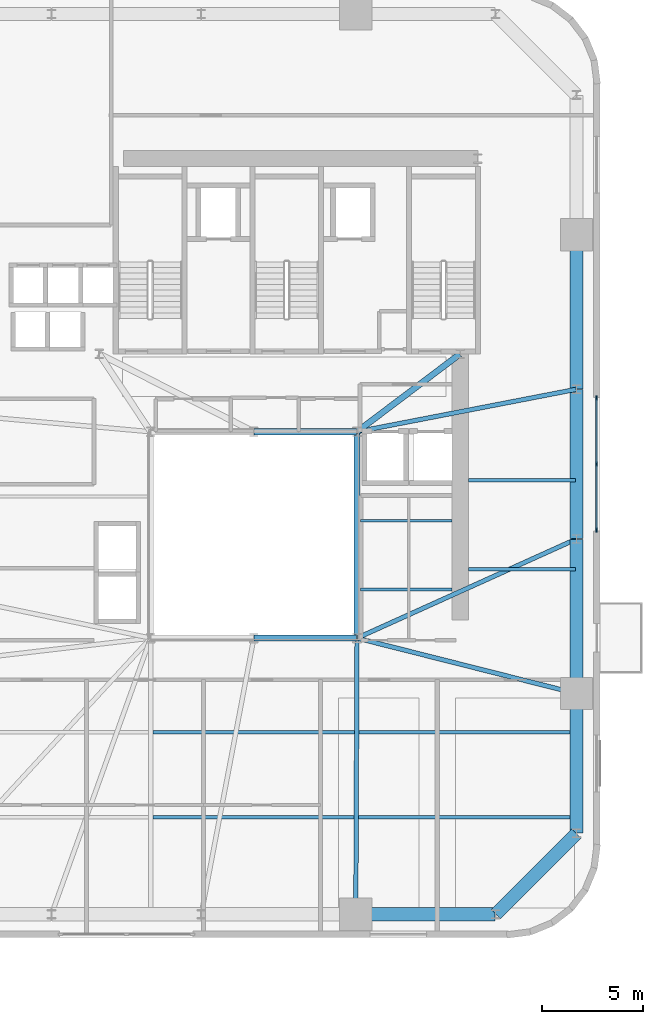
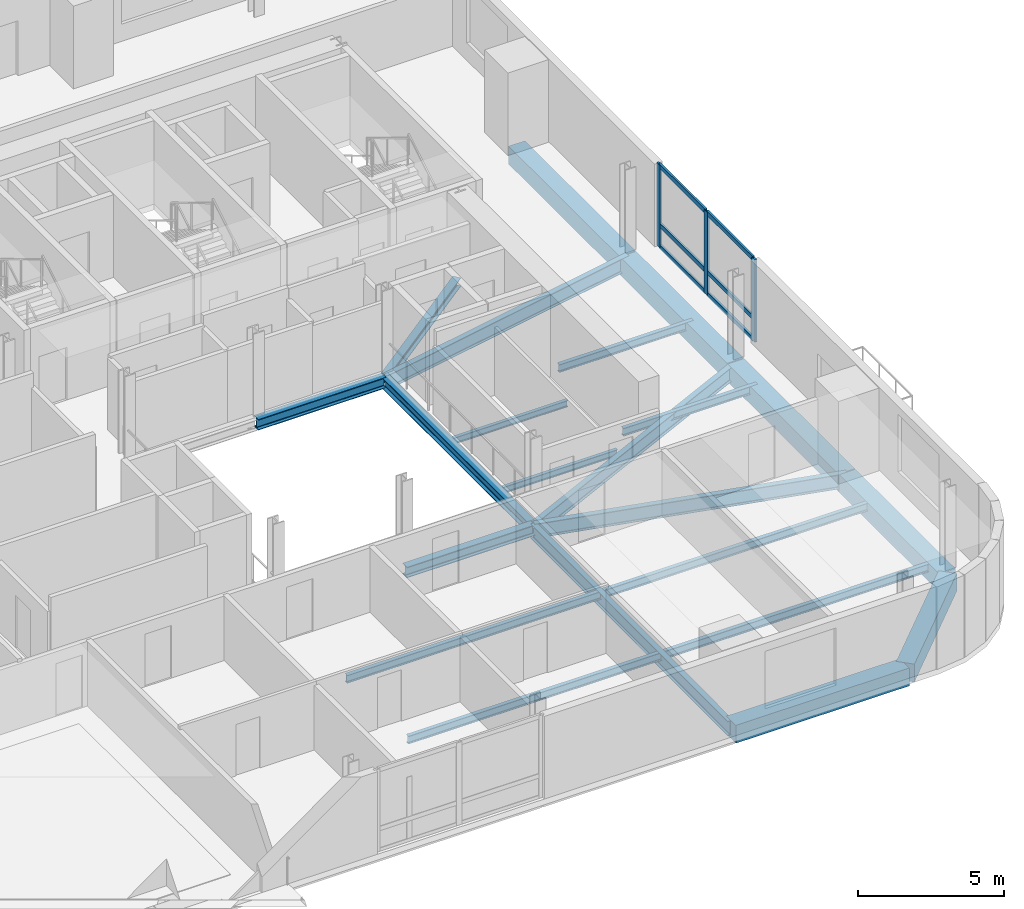
# One storey, part 3 of 14: 20 beams, 9 members, 1 element without a shape of its own.
"""IFC4 building model written with IfcOpenShell, lengths in metres."""

from ifc_helpers import new_model, si_unit, direction, frame, origin, origin_2d, place, context, subcontext, project, spatial, rectangle, i_section, extrude, source, transform, mapped, material, material_profile, profile_set, type_object, element, aggregate, save


model = new_model("IFC4")

# Units and contexts
model_context = context("Model", 3, precision=1e-05, world=origin(), true_north=direction((0.0, 1.0)))
body_context = subcontext(model_context, "Body", "Model", "MODEL_VIEW")
ifc_project = project(units=[si_unit("LENGTHUNIT", "METRE"), si_unit("AREAUNIT", "SQUARE_METRE"), si_unit("VOLUMEUNIT", "CUBIC_METRE"), si_unit("PLANEANGLEUNIT", "RADIAN"), si_unit("MASSUNIT", "GRAM", prefix="KILO")], contexts=[model_context])

# Site, building, storey
site_placement = place(None, origin())
site = spatial("IfcSite", under=ifc_project, at=site_placement, CompositionType="ELEMENT")
building_placement = place(site_placement, origin())
building = spatial("IfcBuilding", under=site, at=building_placement, Name="Vardaveli Station Tower", CompositionType="ELEMENT")
storey_placement = place(building_placement, frame((0.0, 0.0, 148.300048828125)))
storey = spatial("IfcBuildingStorey", under=building, at=storey_placement, Name="L38", CompositionType="ELEMENT", Elevation=148.300048828125)

# Beams
ifc_material_1 = material(Name="Structural steel S355J2", Category="steel")
ifc_material_profile_1 = material_profile(ifc_material_1, i_section(OverallWidth=0.300048828125, OverallDepth=0.449951171875, WebThickness=0.013916015625, FlangeThickness=0.02587890625, FilletRadius=0.027099609375, at=origin_2d()), Name="HEB 450")
ifc_profile_set_1 = profile_set([ifc_material_profile_1], Name="Structural steel S355J2")
beam_type_1 = type_object("IfcBeamType", Name="BM-HEB450", PredefinedType="BEAM", material=ifc_profile_set_1)
shared_shape_1 = source(origin(), body_context, "Body", "SweptSolid", [
    extrude(i_section(OverallWidth=0.300048828125, OverallDepth=0.449951171875, WebThickness=0.013916015625, FlangeThickness=0.02587890625, FilletRadius=0.027099609375, at=origin_2d()), origin(), (0.0, 0.0, 1.0), 5.059814453125),
])
for number, where, z_axis, x_axis, name in (
    (1, (36.320068359375, 16.60009765625, -0.465087890625), (1.0, 0.0, 0.0), (0.0, 1.0, 0.0), "ABM-L38-02"),
    (2, (41.3798828125, 26.800048828125, -0.465087890625), (-1.0, 0.0, 0.0), (0.0, -1.0, 0.0), "ABM-L38-04"),
):
    element("IfcBeam", number, at=place(storey_placement, frame(where, z_axis=z_axis, x_axis=x_axis)), inside=storey, type_object=beam_type_1, Name=name, PredefinedType="BEAM", context=body_context, shape_type="MappedRepresentation", body=[
        mapped(shared_shape_1, transform((0.0, 0.0, 0.0), scale=1.0)),
    ])
shared_shape_2 = source(origin(), body_context, "Body", "SweptSolid", [
    extrude(i_section(OverallWidth=0.300048828125, OverallDepth=0.449951171875, WebThickness=0.013916015625, FlangeThickness=0.02587890625, FilletRadius=0.027099609375, at=origin_2d()), origin(), (0.0, 0.0, 1.0), 10.159912109375),
])
beam_1_placement = place(storey_placement, frame((41.39990234375, 16.6201171875, -0.465087890625), z_axis=(0.0, 1.0, 0.0), x_axis=(-1.0, 0.0, 0.0)))
element("IfcBeam", 3, at=beam_1_placement, inside=storey, type_object=beam_type_1, Name="ABM-L38-03", PredefinedType="BEAM", context=body_context, shape_type="MappedRepresentation", body=[
    mapped(shared_shape_2, transform((0.0, 0.0, 0.0), scale=1.0)),
])
ifc_material_profile_2 = material_profile(ifc_material_1, i_section(OverallWidth=0.300048828125, OverallDepth=0.360107421875, WebThickness=0.012451171875, FlangeThickness=0.0224609375, FilletRadius=0.027099609375, at=origin_2d()), Name="HEB 360")
ifc_profile_set_2 = profile_set([ifc_material_profile_2], Name="Structural steel S355J2")
beam_type_2 = type_object("IfcBeamType", Name="BM-HEB360", PredefinedType="BEAM", material=ifc_profile_set_2)
shared_shape_3 = source(origin(), body_context, "Body", "SweptSolid", [
    extrude(i_section(OverallWidth=0.300048828125, OverallDepth=0.360107421875, WebThickness=0.012451171875, FlangeThickness=0.0224609375, FilletRadius=0.027099609375, at=origin_2d()), origin(), (0.0, 0.0, 1.0), 6.35009765625),
])
beam_2_placement = place(storey_placement, frame((41.416015625, 26.81201171875, -0.420166015625), z_axis=(0.798118337722, 0.602500721154, 0.0), x_axis=(-0.602500721154, 0.798118337722, 0.0)))
element("IfcBeam", 4, at=beam_2_placement, inside=storey, type_object=beam_type_2, Name="CBM-L38-02", PredefinedType="BEAM", context=body_context, shape_type="MappedRepresentation", body=[
    mapped(shared_shape_3, transform((0.0, 0.0, 0.0), scale=1.0)),
])
ifc_material_2 = material(Name="Precast concrete C45/55", Category="concrete")
ifc_material_profile_3 = material_profile(ifc_material_2, rectangle(XDim=0.64990234375, YDim=0.75, at=origin_2d()), Name="LPB 650x750")
ifc_profile_set_3 = profile_set([ifc_material_profile_3], Name="Precast concrete C45/55")
beam_type_3 = type_object("IfcBeamType", Name="BM-LPB-750", PredefinedType="BEAM", material=ifc_profile_set_3)
shared_shape_4 = source(origin(), body_context, "Body", "SweptSolid", [
    extrude(rectangle(XDim=0.64990234375, YDim=0.75, at=origin_2d()), origin(), (0.0, 0.0, 1.0), 7.60009765625),
])
for number, where, z_axis, x_axis, name in (
    (5, (52.25, 13.8798828125, -0.614990234375), (0.0, 1.0, 0.0), (-1.0, 0.0, 0.0), "RBM-L38-07"),
    (6, (52.25, 28.919921875, -0.614990234375), (0.0, 1.0, 0.0), (-1.0, 0.0, 0.0), "RBM-L38-09"),
):
    element("IfcBeam", number, at=place(storey_placement, frame(where, z_axis=z_axis, x_axis=x_axis)), inside=storey, type_object=beam_type_3, Name=name, PredefinedType="BEAM", context=body_context, shape_type="MappedRepresentation", body=[
        mapped(shared_shape_4, transform((0.0, 0.0, 0.0), scale=1.0)),
    ])
shared_shape_5 = source(origin(), body_context, "Body", "SweptSolid", [
    extrude(rectangle(XDim=0.64990234375, YDim=0.75, at=origin_2d()), origin(), (0.0, 0.0, 1.0), 7.35986328125),
])
beam_3_placement = place(storey_placement, frame((52.25, 21.52001953125, -0.614990234375), z_axis=(0.0, 1.0, 0.0), x_axis=(-1.0, 0.0, 0.0)))
element("IfcBeam", 7, at=beam_3_placement, inside=storey, type_object=beam_type_3, Name="RBM-L38-08", PredefinedType="BEAM", context=body_context, shape_type="MappedRepresentation", body=[
    mapped(shared_shape_5, transform((0.0, 0.0, 0.0), scale=1.0)),
])
shared_shape_6 = source(origin(), body_context, "Body", "SweptSolid", [
    extrude(rectangle(XDim=0.64990234375, YDim=0.75, at=origin_2d()), origin(), (0.0, 0.0, 1.0), 6.869873046875),
])
beam_4_placement = place(storey_placement, frame((41.360107421875, 2.949951171875, -0.614990234375), z_axis=(1.0, 0.0, 0.0), x_axis=(0.0, 1.0, 0.0)))
element("IfcBeam", 8, at=beam_4_placement, inside=storey, type_object=beam_type_3, Name="RBM-L38-04", PredefinedType="BEAM", context=body_context, shape_type="MappedRepresentation", body=[
    mapped(shared_shape_6, transform((0.0, 0.0, 0.0), scale=1.0)),
])
shared_shape_7 = source(origin(), body_context, "Body", "SweptSolid", [
    extrude(rectangle(XDim=0.64990234375, YDim=0.75, at=origin_2d()), origin(), (0.0, 0.0, 1.0), 5.61669921875),
])
beam_5_placement = place(storey_placement, frame((48.26416015625, 2.964111328125, -0.614990234375), z_axis=(0.707106781187, 0.707106781187, 0.0), x_axis=(-0.707106781187, 0.707106781187, 0.0)))
element("IfcBeam", 9, at=beam_5_placement, inside=storey, type_object=beam_type_3, Name="RBM-L38-05", PredefinedType="BEAM", context=body_context, shape_type="MappedRepresentation", body=[
    mapped(shared_shape_7, transform((0.0, 0.0, 0.0), scale=1.0)),
])
shared_shape_8 = source(origin(), body_context, "Body", "SweptSolid", [
    extrude(rectangle(XDim=0.64990234375, YDim=0.75, at=origin_2d()), origin(), (0.0, 0.0, 1.0), 6.8701171875),
])
beam_6_placement = place(storey_placement, frame((52.25, 6.969970703125, -0.614990234375), z_axis=(0.0, 1.0, 0.0), x_axis=(-1.0, 0.0, 0.0)))
element("IfcBeam", 10, at=beam_6_placement, inside=storey, type_object=beam_type_3, Name="RBM-L38-06", PredefinedType="BEAM", context=body_context, shape_type="MappedRepresentation", body=[
    mapped(shared_shape_8, transform((0.0, 0.0, 0.0), scale=1.0)),
])
ifc_material_profile_4 = material_profile(ifc_material_1, i_section(OverallWidth=0.159912109375, OverallDepth=0.330078125, WebThickness=0.007568359375, FlangeThickness=0.011474609375, FilletRadius=0.01806640625, at=origin_2d()), Name="IPE 330")
ifc_profile_set_4 = profile_set([ifc_material_profile_4], Name="Structural steel S355J2")
beam_type_4 = type_object("IfcBeamType", Name="BM-IPE330", PredefinedType="JOIST", material=ifc_profile_set_4)
shared_shape_9 = source(origin(), body_context, "Body", "SweptSolid", [
    extrude(i_section(OverallWidth=0.159912109375, OverallDepth=0.330078125, WebThickness=0.007568359375, FlangeThickness=0.011474609375, FilletRadius=0.01806640625, at=origin_2d()), origin(), (0.0, 0.0, 1.0), 20.89794921875),
])
for number, where, z_axis, x_axis, name in (
    (11, (31.31201171875, 7.75, -0.405029296875), (1.0, 0.0, 0.0), (0.0, 1.0, 0.0), "SJ-L38-S02"),
    (12, (31.31201171875, 11.949951171875, -0.405029296875), (1.0, 0.0, 0.0), (0.0, 1.0, 0.0), "SJ-L38-S04"),
):
    element("IfcBeam", number, at=place(storey_placement, frame(where, z_axis=z_axis, x_axis=x_axis)), inside=storey, type_object=beam_type_4, Name=name, PredefinedType="JOIST", context=body_context, shape_type="MappedRepresentation", body=[
        mapped(shared_shape_9, transform((0.0, 0.0, 0.0), scale=1.0)),
    ])
shared_shape_10 = source(origin(), body_context, "Body", "SweptSolid", [
    extrude(i_section(OverallWidth=0.159912109375, OverallDepth=0.330078125, WebThickness=0.007568359375, FlangeThickness=0.011474609375, FilletRadius=0.01806640625, at=origin_2d()), origin(), (0.0, 0.0, 1.0), 5.304931640625),
])
for number, where, z_axis, x_axis, name in (
    (13, (46.905029296875, 20.0, -0.405029296875), (1.0, 0.0, 0.0), (0.0, 1.0, 0.0), "SJ-L38-E07"),
    (14, (46.905029296875, 24.39990234375, -0.405029296875), (1.0, 0.0, 0.0), (0.0, 1.0, 0.0), "SJ-L38-E08"),
):
    element("IfcBeam", number, at=place(storey_placement, frame(where, z_axis=z_axis, x_axis=x_axis)), inside=storey, type_object=beam_type_4, Name=name, PredefinedType="JOIST", context=body_context, shape_type="MappedRepresentation", body=[
        mapped(shared_shape_10, transform((0.0, 0.0, 0.0), scale=1.0)),
    ])
ifc_material_profile_5 = material_profile(ifc_material_1, i_section(OverallWidth=0.135009765625, OverallDepth=0.27001953125, WebThickness=0.006591796875, FlangeThickness=0.01025390625, FilletRadius=0.014892578125, at=origin_2d()), Name="IPE 270")
ifc_profile_set_5 = profile_set([ifc_material_profile_5], Name="Structural steel S355J2")
beam_type_5 = type_object("IfcBeamType", Name="BM-IPE270", PredefinedType="BEAM", material=ifc_profile_set_5)
shared_shape_11 = source(origin(), body_context, "Body", "SweptSolid", [
    extrude(i_section(OverallWidth=0.135009765625, OverallDepth=0.27001953125, WebThickness=0.006591796875, FlangeThickness=0.01025390625, FilletRadius=0.014892578125, at=origin_2d()), origin(), (0.0, 0.0, 1.0), 4.530029296875),
])
for number, where, z_axis, x_axis, name in (
    (15, (41.56494140625, 19.0, -0.375), (1.0, 0.0, 0.0), (0.0, 1.0, 0.0), "TJ-L38-01"),
    (16, (41.56494140625, 22.39990234375, -0.375), (1.0, 0.0, 0.0), (0.0, 1.0, 0.0), "TJ-L38-02"),
):
    element("IfcBeam", number, at=place(storey_placement, frame(where, z_axis=z_axis, x_axis=x_axis)), inside=storey, type_object=beam_type_5, Name=name, PredefinedType="BEAM", context=body_context, shape_type="MappedRepresentation", body=[
        mapped(shared_shape_11, transform((0.0, 0.0, 0.0), scale=1.0)),
    ])
ifc_material_profile_6 = material_profile(ifc_material_1, i_section(OverallWidth=0.219970703125, OverallDepth=0.60009765625, WebThickness=0.011962890625, FlangeThickness=0.01904296875, FilletRadius=0.02392578125, at=origin_2d()), Name="IPE 600")
ifc_profile_set_6 = profile_set([ifc_material_profile_6], Name="Structural steel S355J2")
beam_type_6 = type_object("IfcBeamType", Name="BM-IPE600", PredefinedType="BEAM", material=ifc_profile_set_6)
shared_shape_12 = source(origin(), body_context, "Body", "SweptSolid", [
    extrude(i_section(OverallWidth=0.219970703125, OverallDepth=0.60009765625, WebThickness=0.011962890625, FlangeThickness=0.01904296875, FilletRadius=0.02392578125, at=origin_2d()), origin(), (0.0, 0.0, 1.0), 13.6103515625),
])
beam_7_placement = place(storey_placement, frame((41.340087890625, 2.969970703125, -0.5400390625), z_axis=(0.004394812886, 0.999990342763, 0.0), x_axis=(-0.999990342763, 0.004394812886, 0.0)))
element("IfcBeam", 17, at=beam_7_placement, inside=storey, type_object=beam_type_6, Name="GBM-L38-04", PredefinedType="BEAM", context=body_context, shape_type="MappedRepresentation", body=[
    mapped(shared_shape_12, transform((0.0, 0.0, 0.0), scale=1.0)),
])
shared_shape_13 = source(origin(), body_context, "Body", "SweptSolid", [
    extrude(i_section(OverallWidth=0.219970703125, OverallDepth=0.60009765625, WebThickness=0.011962890625, FlangeThickness=0.01904296875, FilletRadius=0.02392578125, at=origin_2d()), origin(), (0.0, 0.0, 1.0), 11.150634765625),
])
beam_8_placement = place(storey_placement, frame((52.230712890625, 13.864990234375, -0.5400390625), z_axis=(-0.969561465826, 0.244848042642, 0.0), x_axis=(-0.244848042642, -0.969561465826, 0.0)))
element("IfcBeam", 18, at=beam_8_placement, inside=storey, type_object=beam_type_6, Name="GBM-L38-05", PredefinedType="BEAM", context=body_context, shape_type="MappedRepresentation", body=[
    mapped(shared_shape_13, transform((0.0, 0.0, 0.0), scale=1.0)),
])
shared_shape_14 = source(origin(), body_context, "Body", "SweptSolid", [
    extrude(i_section(OverallWidth=0.219970703125, OverallDepth=0.60009765625, WebThickness=0.011962890625, FlangeThickness=0.01904296875, FilletRadius=0.02392578125, at=origin_2d()), origin(), (0.0, 0.0, 1.0), 11.864990234375),
])
beam_9_placement = place(storey_placement, frame((52.231689453125, 21.49169921875, -0.5400390625), z_axis=(-0.911369354756, -0.411589478985, 0.0), x_axis=(0.411589478985, -0.911369354756, 0.0)))
element("IfcBeam", 19, at=beam_9_placement, inside=storey, type_object=beam_type_6, Name="GBM-L38-06", PredefinedType="BEAM", context=body_context, shape_type="MappedRepresentation", body=[
    mapped(shared_shape_14, transform((0.0, 0.0, 0.0), scale=1.0)),
])
shared_shape_15 = source(origin(), body_context, "Body", "SweptSolid", [
    extrude(i_section(OverallWidth=0.219970703125, OverallDepth=0.60009765625, WebThickness=0.011962890625, FlangeThickness=0.01904296875, FilletRadius=0.02392578125, at=origin_2d()), origin(), (0.0, 0.0, 1.0), 11.011474609375),
])
beam_10_placement = place(storey_placement, frame((52.23046875, 28.896240234375, -0.5400390625), z_axis=(-0.981777849093, -0.190032247343, 0.0), x_axis=(0.190032247343, -0.981777849093, 0.0)))
element("IfcBeam", 20, at=beam_10_placement, inside=storey, type_object=beam_type_6, Name="GBM-L38-07", PredefinedType="BEAM", context=body_context, shape_type="MappedRepresentation", body=[
    mapped(shared_shape_15, transform((0.0, 0.0, 0.0), scale=1.0)),
])

# Curtain wall, members
ifc_material_3 = material(Name="Travertine stone and solar-control glass", Category="masonry")
curtain_wall_type = type_object("IfcCurtainWallType", Name="CW-SYS-2", PredefinedType="NOTDEFINED", material=ifc_material_3)
curtain_wall_placement = place(storey_placement, origin())
curtain_wall = element("IfcCurtainWall", 21, at=curtain_wall_placement, inside=storey, type_object=curtain_wall_type, Name="CW-L38-E", PredefinedType="NOTDEFINED")
ifc_material_4 = material(Name="Anodised aluminium alloy 6063-T6", Category="aluminium")
ifc_material_profile_7 = material_profile(ifc_material_4, rectangle(XDim=0.0849609375, YDim=0.179931640625, at=origin_2d()), Name="CWT 85x180")
ifc_profile_set_7 = profile_set([ifc_material_profile_7], Name="Anodised aluminium alloy 6063-T6")
member_type_1 = type_object("IfcMemberType", Name="CW-SYS-2-TRAN", PredefinedType="NOTDEFINED", material=ifc_profile_set_7)
shared_shape_16 = source(origin(), body_context, "Body", "SweptSolid", [
    extrude(rectangle(XDim=0.0849609375, YDim=0.179931640625, at=origin_2d()), origin(), (0.0, 0.0, 1.0), 3.172607421875),
])
member_1_placement = place(storey_placement, frame((53.239990234375, 25.242431640625, 0.04248046875), z_axis=(0.0, 1.0, 0.0), x_axis=(-1.0, 0.0, 0.0)))
member_1 = element("IfcMember", 22, at=member_1_placement, type_object=member_type_1, Name="CW-2 transom 2.1", ObjectType="TRANSOM", PredefinedType="USERDEFINED", context=body_context, shape_type="MappedRepresentation", body=[
    mapped(shared_shape_16, transform((0.0, 0.0, 0.0), scale=1.0)),
])
member_2_placement = place(storey_placement, frame((53.239990234375, 25.242431640625, 0.949951171875), z_axis=(0.0, 1.0, 0.0), x_axis=(-1.0, 0.0, 0.0)))
member_2 = element("IfcMember", 23, at=member_2_placement, type_object=member_type_1, Name="CW-2 transom 2.2", ObjectType="TRANSOM", PredefinedType="USERDEFINED", context=body_context, shape_type="MappedRepresentation", body=[
    mapped(shared_shape_16, transform((0.0, 0.0, 0.0), scale=1.0)),
])
member_3_placement = place(storey_placement, frame((53.239990234375, 25.242431640625, 3.41748046875), z_axis=(0.0, 1.0, 0.0), x_axis=(-1.0, 0.0, 0.0)))
member_3 = element("IfcMember", 24, at=member_3_placement, type_object=member_type_1, Name="CW-2 transom 2.3", ObjectType="TRANSOM", PredefinedType="USERDEFINED", context=body_context, shape_type="MappedRepresentation", body=[
    mapped(shared_shape_16, transform((0.0, 0.0, 0.0), scale=1.0)),
])
shared_shape_17 = source(origin(), body_context, "Body", "SweptSolid", [
    extrude(rectangle(XDim=0.0849609375, YDim=0.179931640625, at=origin_2d()), origin(), (0.0, 0.0, 1.0), 3.17236328125),
])
member_4_placement = place(storey_placement, frame((53.239990234375, 21.985107421875, 0.04248046875), z_axis=(0.0, 1.0, 0.0), x_axis=(-1.0, 0.0, 0.0)))
member_4 = element("IfcMember", 25, at=member_4_placement, type_object=member_type_1, Name="CW-2 transom 1.1", ObjectType="TRANSOM", PredefinedType="USERDEFINED", context=body_context, shape_type="MappedRepresentation", body=[
    mapped(shared_shape_17, transform((0.0, 0.0, 0.0), scale=1.0)),
])
member_5_placement = place(storey_placement, frame((53.239990234375, 21.985107421875, 0.949951171875), z_axis=(0.0, 1.0, 0.0), x_axis=(-1.0, 0.0, 0.0)))
member_5 = element("IfcMember", 26, at=member_5_placement, type_object=member_type_1, Name="CW-2 transom 1.2", ObjectType="TRANSOM", PredefinedType="USERDEFINED", context=body_context, shape_type="MappedRepresentation", body=[
    mapped(shared_shape_17, transform((0.0, 0.0, 0.0), scale=1.0)),
])
member_6_placement = place(storey_placement, frame((53.239990234375, 21.985107421875, 3.41748046875), z_axis=(0.0, 1.0, 0.0), x_axis=(-1.0, 0.0, 0.0)))
member_6 = element("IfcMember", 27, at=member_6_placement, type_object=member_type_1, Name="CW-2 transom 1.3", ObjectType="TRANSOM", PredefinedType="USERDEFINED", context=body_context, shape_type="MappedRepresentation", body=[
    mapped(shared_shape_17, transform((0.0, 0.0, 0.0), scale=1.0)),
])
ifc_material_profile_8 = material_profile(ifc_material_4, rectangle(XDim=0.0849609375, YDim=0.219970703125, at=origin_2d()), Name="CWM 85x220")
ifc_profile_set_8 = profile_set([ifc_material_profile_8], Name="Anodised aluminium alloy 6063-T6")
member_type_2 = type_object("IfcMemberType", Name="CW-SYS-2-MULL", PredefinedType="MULLION", material=ifc_profile_set_8)
shared_shape_18 = source(origin(), body_context, "Body", "SweptSolid", [
    extrude(rectangle(XDim=0.0849609375, YDim=0.219970703125, at=origin_2d()), origin(), (0.0, 0.0, 1.0), 3.4599609375),
])
member_7_placement = place(storey_placement, frame((53.239990234375, 21.9423828125, 0.0), z_axis=(0.0, 0.0, 1.0), x_axis=(-1.0, 0.0, 0.0)))
member_7 = element("IfcMember", 28, at=member_7_placement, type_object=member_type_2, Name="CW-2 mullion 1", PredefinedType="MULLION", context=body_context, shape_type="MappedRepresentation", body=[
    mapped(shared_shape_18, transform((0.0, 0.0, 0.0), scale=1.0)),
])
member_8_placement = place(storey_placement, frame((53.239990234375, 25.199951171875, 0.0), z_axis=(0.0, 0.0, 1.0), x_axis=(-1.0, 0.0, 0.0)))
member_8 = element("IfcMember", 29, at=member_8_placement, type_object=member_type_2, Name="CW-2 mullion 2", PredefinedType="MULLION", context=body_context, shape_type="MappedRepresentation", body=[
    mapped(shared_shape_18, transform((0.0, 0.0, 0.0), scale=1.0)),
])
member_9_placement = place(storey_placement, frame((53.239990234375, 28.45751953125, 0.0), z_axis=(0.0, 0.0, 1.0), x_axis=(-1.0, 0.0, 0.0)))
member_9 = element("IfcMember", 30, at=member_9_placement, type_object=member_type_2, Name="CW-2 mullion 3", PredefinedType="MULLION", context=body_context, shape_type="MappedRepresentation", body=[
    mapped(shared_shape_18, transform((0.0, 0.0, 0.0), scale=1.0)),
])
aggregate(curtain_wall, [member_7, member_8, member_9, member_4, member_5, member_6, member_1, member_2, member_3])

save(model, "model.ifc")
